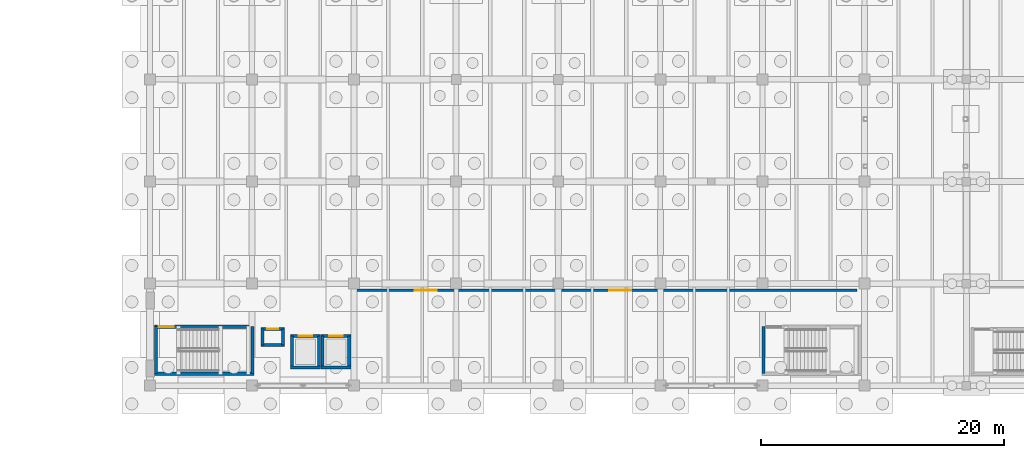
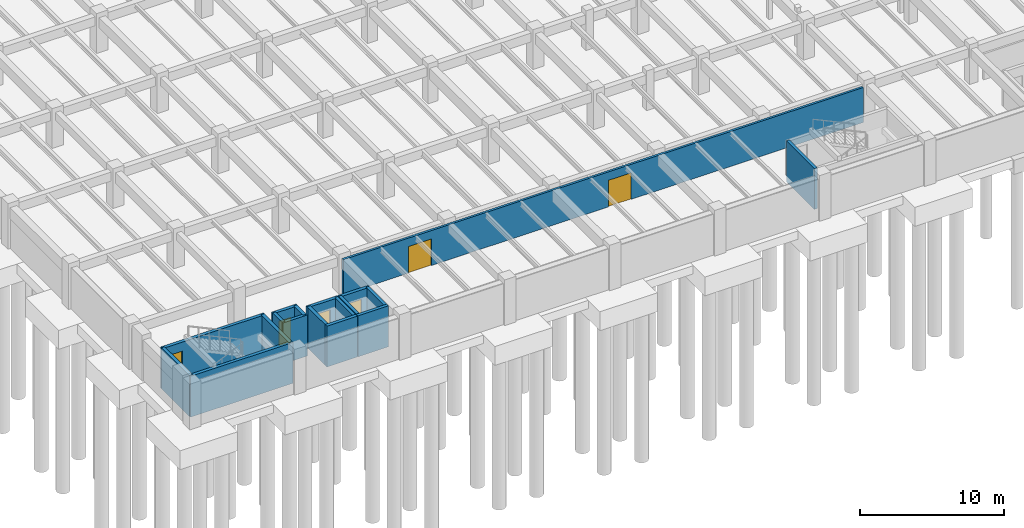
# One storey, part 41 of 70: 18 walls, 6 doors, 6 openings.
"""IFC4 building model written with IfcOpenShell, lengths in metres."""

from ifc_helpers import new_model, si_unit, direction, frame, frame_2d, origin, place, context, subcontext, project, spatial, rectangle, extrude, material, layer, layer_set, type_object, element, fill, save


model = new_model("IFC4")

# Units and contexts
model_context = context("Model", 3, precision=1e-05, world=origin(), true_north=direction((0.0, 1.0)))
body_context = subcontext(model_context, "Body", "Model", "MODEL_VIEW")
ifc_project = project(units=[si_unit("LENGTHUNIT", "METRE"), si_unit("AREAUNIT", "SQUARE_METRE"), si_unit("VOLUMEUNIT", "CUBIC_METRE"), si_unit("PLANEANGLEUNIT", "RADIAN"), si_unit("MASSUNIT", "GRAM", prefix="KILO")], contexts=[model_context])

# Site, building, storey
site_placement = place(None, origin())
site = spatial("IfcSite", under=ifc_project, at=site_placement, CompositionType="ELEMENT")
building_placement = place(site_placement, origin())
building = spatial("IfcBuilding", under=site, at=building_placement, Name="Cumbredor Promenade Congress Hotel", CompositionType="ELEMENT")
storey_placement = place(building_placement, frame((0.0, 0.0, -7.56005859375)))
storey = spatial("IfcBuildingStorey", under=building, at=storey_placement, Name="B02", CompositionType="ELEMENT", Elevation=-7.56005859375)

# Wall, openings, doors
ifc_material_1 = material(Name="Fire-rated hotel corridor wall")
ifc_layer_1 = layer(ifc_material_1, 0.179931640625, Name="Fire-rated hotel corridor wall")
ifc_layer_set_1 = layer_set([ifc_layer_1], Name="Fire-rated hotel corridor wall")
wall_type_1 = type_object("IfcWallType", Name="WL-CORR-180", PredefinedType="PARTITIONING", material=ifc_layer_set_1)
wall_1_placement = place(storey_placement, frame((25.0, 16.25, 0.0), z_axis=(0.0, 0.0, 1.0), x_axis=(1.0, 0.0, 0.0)))
wall_1 = element("IfcWall", 1, at=wall_1_placement, inside=storey, type_object=wall_type_1, Name="B02 Interior Partition W-B02-01", PredefinedType="PARTITIONING", context=body_context, shape_type="SweptSolid", body=[
    extrude(rectangle(XDim=41.60009765625, YDim=0.179931640625, at=frame_2d((20.800048828125, 0.0))), origin(), (0.0, 0.0, 1.0), 2.9599609375),
])
opening_1_placement = place(wall_1_placement, frame((5.199951171875, 0.0, 0.0)))
opening_1 = element("IfcOpeningElement", 2, at=opening_1_placement, cuts=wall_1, Name="Opening FD-10", PredefinedType="OPENING", context=body_context, shape_type="SweptSolid", body=[
    extrude(rectangle(XDim=1.820068359375, YDim=2.25, at=frame_2d((0.91015625, 1.125))), frame((0.0, 0.10009765625, 0.0), z_axis=(0.0, -1.0, 0.0), x_axis=(1.0, 0.0, 0.0)), (0.0, 0.0, 1.0), 0.199951171875),
])
opening_2_placement = place(wall_1_placement, frame((21.199951171875, 0.0, 0.0)))
opening_2 = element("IfcOpeningElement", 3, at=opening_2_placement, cuts=wall_1, Name="Opening FD-10", PredefinedType="OPENING", context=body_context, shape_type="SweptSolid", body=[
    extrude(rectangle(XDim=1.820068359375, YDim=2.25, at=frame_2d((0.91015625, 1.125))), frame((0.0, 0.10009765625, 0.0), z_axis=(0.0, -1.0, 0.0), x_axis=(1.0, 0.0, 0.0)), (0.0, 0.0, 1.0), 0.199951171875),
])
ifc_material_2 = material(Name="Solid-core fire-rated tropical hardwood", Category="wood")
door_type_1 = type_object("IfcDoorType", Name="DR-DBL-FD60-1800", OperationType="DOUBLE_DOOR_SINGLE_SWING", PredefinedType="DOOR", material=ifc_material_2)
door_1_placement = place(opening_1_placement, origin())
door_1 = element("IfcDoor", 4, at=door_1_placement, inside=storey, type_object=door_type_1, Name="B02 Interior Door W-B02-01-01", OperationType="DOUBLE_DOOR_SINGLE_SWING", OverallHeight=2.25, OverallWidth=1.820068359375, PredefinedType="DOOR", context=body_context, shape_type="SweptSolid", body=[
    extrude(rectangle(XDim=1.820068359375, YDim=2.25, at=frame_2d((0.91015625, 1.125))), frame((0.0, 0.02490234375, 0.0), z_axis=(0.0, -1.0, 0.0), x_axis=(1.0, 0.0, 0.0)), (0.0, 0.0, 1.0), 0.050048828125),
])
fill(opening_1, door_1)
door_2_placement = place(opening_2_placement, origin())
door_2 = element("IfcDoor", 5, at=door_2_placement, inside=storey, type_object=door_type_1, Name="B02 Interior Door W-B02-01-02", OperationType="DOUBLE_DOOR_SINGLE_SWING", OverallHeight=2.25, OverallWidth=1.820068359375, PredefinedType="DOOR", context=body_context, shape_type="SweptSolid", body=[
    extrude(rectangle(XDim=1.820068359375, YDim=2.25, at=frame_2d((0.91015625, 1.125))), frame((0.0, 0.02490234375, 0.0), z_axis=(0.0, -1.0, 0.0), x_axis=(1.0, 0.0, 0.0)), (0.0, 0.0, 1.0), 0.050048828125),
])
fill(opening_2, door_2)

# Wall
ifc_material_3 = material(Name="Concrete C40/50", Category="concrete")
ifc_layer_2 = layer(ifc_material_3, 0.2548828125, Name="Concrete C40/50", Category="concrete")
ifc_layer_set_2 = layer_set([ifc_layer_2], Name="Concrete C40/50")
wall_type_2 = type_object("IfcWallType", Name="WL-SHAFT-250", PredefinedType="SOLIDWALL", material=ifc_layer_set_2)
wall_2_placement = place(storey_placement, frame((8.75244140625, 9.3798828125, -0.5), z_axis=(0.0, 0.0, 1.0), x_axis=(1.0, 0.0, 0.0)))
element("IfcWall", 6, at=wall_2_placement, inside=storey, type_object=wall_type_2, Name="STAIR-ST-04-B02 Shaft Wall South", PredefinedType="SOLIDWALL", context=body_context, shape_type="SweptSolid", body=[
    extrude(rectangle(XDim=8.22509765625, YDim=0.2548828125, at=frame_2d((4.112548828125, 0.0))), origin(), (0.0, 0.0, 1.0), 3.4599609375),
])

# Wall, opening, door
wall_3_placement = place(storey_placement, frame((8.75244140625, 13.25, -0.5), z_axis=(0.0, 0.0, 1.0), x_axis=(1.0, 0.0, 0.0)))
wall_3 = element("IfcWall", 7, at=wall_3_placement, inside=storey, type_object=wall_type_2, Name="STAIR-ST-04-B02 Shaft Wall North", PredefinedType="SOLIDWALL", context=body_context, shape_type="SweptSolid", body=[
    extrude(rectangle(XDim=8.22509765625, YDim=0.2548828125, at=frame_2d((4.112548828125, 0.0))), origin(), (0.0, 0.0, 1.0), 3.4599609375),
])
opening_3_placement = place(wall_3_placement, frame((0.35009765625, 0.0, 0.5)))
opening_3 = element("IfcOpeningElement", 8, at=opening_3_placement, cuts=wall_3, Name="Opening SD-02", PredefinedType="OPENING", context=body_context, shape_type="SweptSolid", body=[
    extrude(rectangle(XDim=1.25, YDim=2.199951171875, at=frame_2d((0.625, 1.10009765625))), frame((0.0, 0.137451171875, 0.0), z_axis=(0.0, -1.0, 0.0), x_axis=(1.0, 0.0, 0.0)), (0.0, 0.0, 1.0), 0.27490234375),
])
ifc_material_4 = material(Name="Painted galvanized steel fire door", Category="steel")
door_type_2 = type_object("IfcDoorType", Name="DR-STAIR-FD90-1250", OperationType="NOTDEFINED", PredefinedType="DOOR", material=ifc_material_4)
door_3_placement = place(opening_3_placement, origin())
door_3 = element("IfcDoor", 9, at=door_3_placement, inside=storey, type_object=door_type_2, Name="B02 Protected Exit Stair ST-04 Door", OperationType="SINGLE_SWING_LEFT", OverallHeight=2.199951171875, OverallWidth=1.25, PredefinedType="DOOR", context=body_context, shape_type="SweptSolid", body=[
    extrude(rectangle(XDim=1.25, YDim=2.199951171875, at=frame_2d((0.625, 1.10009765625))), frame((0.0, 0.02490234375, 0.0), z_axis=(0.0, -1.0, 0.0), x_axis=(1.0, 0.0, 0.0)), (0.0, 0.0, 1.0), 0.050048828125),
])
fill(opening_3, door_3)

# Walls
for number, where, z_axis, x_axis, name in (
    (10, (8.8798828125, 9.3798828125, -0.5), (0.0, 0.0, 1.0), (0.0, 1.0, 0.0), "STAIR-ST-04-B02 Shaft Wall West"),
    (11, (16.85009765625, 9.3798828125, -0.5), (0.0, 0.0, 1.0), (0.0, 1.0, 0.0), "STAIR-ST-04-B02 Shaft Wall East"),
    (12, (58.8798828125, 9.3798828125, -0.5), (0.0, 0.0, 1.0), (0.0, 1.0, 0.0), "STAIR-ST-05-B02 Shaft Wall West"),
):
    element("IfcWall", number, at=place(storey_placement, frame(where, z_axis=z_axis, x_axis=x_axis)), inside=storey, type_object=wall_type_2, Name=name, PredefinedType="SOLIDWALL", context=body_context, shape_type="SweptSolid", body=[
        extrude(rectangle(XDim=3.8701171875, YDim=0.2548828125, at=frame_2d((1.93505859375, 0.0))), origin(), (0.0, 0.0, 1.0), 3.4599609375),
    ])
wall_4_placement = place(storey_placement, frame((19.972412109375, 9.89990234375, -0.5), z_axis=(0.0, 0.0, 1.0), x_axis=(1.0, 0.0, 0.0)))
element("IfcWall", 13, at=wall_4_placement, inside=storey, type_object=wall_type_2, Name="SHAFT-PL-05-B02 Shaft Wall South", PredefinedType="SOLIDWALL", context=body_context, shape_type="SweptSolid", body=[
    extrude(rectangle(XDim=2.455078125, YDim=0.2548828125, at=frame_2d((1.2275390625, 0.0))), origin(), (0.0, 0.0, 1.0), 3.4599609375),
])

# Wall, opening, door
wall_5_placement = place(storey_placement, frame((19.972412109375, 12.5, -0.5), z_axis=(0.0, 0.0, 1.0), x_axis=(1.0, 0.0, 0.0)))
wall_5 = element("IfcWall", 14, at=wall_5_placement, inside=storey, type_object=wall_type_2, Name="SHAFT-PL-05-B02 Shaft Wall North", PredefinedType="SOLIDWALL", context=body_context, shape_type="SweptSolid", body=[
    extrude(rectangle(XDim=2.455078125, YDim=0.2548828125, at=frame_2d((1.2275390625, 0.0))), origin(), (0.0, 0.0, 1.0), 3.4599609375),
])
opening_4_placement = place(wall_5_placement, frame((0.677490234375, 0.0, 0.5)))
opening_4 = element("IfcOpeningElement", 15, at=opening_4_placement, cuts=wall_5, Name="Opening LD-01", PredefinedType="OPENING", context=body_context, shape_type="SweptSolid", body=[
    extrude(rectangle(XDim=1.10009765625, YDim=2.14990234375, at=frame_2d((0.550048828125, 1.074951171875))), frame((0.0, 0.137451171875, 0.0), z_axis=(0.0, -1.0, 0.0), x_axis=(1.0, 0.0, 0.0)), (0.0, 0.0, 1.0), 0.27490234375),
])
ifc_material_5 = material(Name="Brushed stainless steel", Category="steel")
door_type_3 = type_object("IfcDoorType", Name="Lift Landing Sliding Door LD-01 1100x2150", OperationType="DOUBLE_DOOR_SLIDING", PredefinedType="DOOR", material=ifc_material_5)
door_4_placement = place(opening_4_placement, origin())
door_4 = element("IfcDoor", 16, at=door_4_placement, inside=storey, type_object=door_type_3, Name="B02 Plenary Passenger Lift PL-05 Sliding Landing Door", OperationType="DOUBLE_DOOR_SLIDING", OverallHeight=2.14990234375, OverallWidth=1.10009765625, PredefinedType="DOOR", context=body_context, shape_type="SweptSolid", body=[
    extrude(rectangle(XDim=1.10009765625, YDim=2.14990234375, at=frame_2d((0.550048828125, 1.074951171875))), frame((0.0, 0.02490234375, 0.0), z_axis=(0.0, -1.0, 0.0), x_axis=(1.0, 0.0, 0.0)), (0.0, 0.0, 1.0), 0.050048828125),
])
fill(opening_4, door_4)

# Walls
for number, where, z_axis, x_axis, name in (
    (17, (20.10009765625, 9.89990234375, -0.5), (0.0, 0.0, 1.0), (0.0, 1.0, 0.0), "SHAFT-PL-05-B02 Shaft Wall West"),
    (18, (22.300048828125, 9.89990234375, -0.5), (0.0, 0.0, 1.0), (0.0, 1.0, 0.0), "SHAFT-PL-05-B02 Shaft Wall East"),
):
    element("IfcWall", number, at=place(storey_placement, frame(where, z_axis=z_axis, x_axis=x_axis)), inside=storey, type_object=wall_type_2, Name=name, PredefinedType="SOLIDWALL", context=body_context, shape_type="SweptSolid", body=[
        extrude(rectangle(XDim=2.60009765625, YDim=0.2548828125, at=frame_2d((1.300048828125, 0.0))), origin(), (0.0, 0.0, 1.0), 3.4599609375),
    ])
wall_6_placement = place(storey_placement, frame((22.472412109375, 9.89990234375, -0.5), z_axis=(0.0, 0.0, 1.0), x_axis=(1.0, 0.0, 0.0)))
element("IfcWall", 19, at=wall_6_placement, inside=storey, type_object=wall_type_2, Name="SHAFT-PL-06-B02 Shaft Wall South", PredefinedType="SOLIDWALL", context=body_context, shape_type="SweptSolid", body=[
    extrude(rectangle(XDim=2.455078125, YDim=0.2548828125, at=frame_2d((1.2275390625, 0.0))), origin(), (0.0, 0.0, 1.0), 3.4599609375),
])

# Wall, opening, door
wall_7_placement = place(storey_placement, frame((22.472412109375, 12.5, -0.5), z_axis=(0.0, 0.0, 1.0), x_axis=(1.0, 0.0, 0.0)))
wall_7 = element("IfcWall", 20, at=wall_7_placement, inside=storey, type_object=wall_type_2, Name="SHAFT-PL-06-B02 Shaft Wall North", PredefinedType="SOLIDWALL", context=body_context, shape_type="SweptSolid", body=[
    extrude(rectangle(XDim=2.455078125, YDim=0.2548828125, at=frame_2d((1.2275390625, 0.0))), origin(), (0.0, 0.0, 1.0), 3.4599609375),
])
opening_5_placement = place(wall_7_placement, frame((0.677490234375, 0.0, 0.5)))
opening_5 = element("IfcOpeningElement", 21, at=opening_5_placement, cuts=wall_7, Name="Opening LD-01", PredefinedType="OPENING", context=body_context, shape_type="SweptSolid", body=[
    extrude(rectangle(XDim=1.10009765625, YDim=2.14990234375, at=frame_2d((0.550048828125, 1.074951171875))), frame((0.0, 0.137451171875, 0.0), z_axis=(0.0, -1.0, 0.0), x_axis=(1.0, 0.0, 0.0)), (0.0, 0.0, 1.0), 0.27490234375),
])
door_5_placement = place(opening_5_placement, origin())
door_5 = element("IfcDoor", 22, at=door_5_placement, inside=storey, type_object=door_type_3, Name="B02 Plenary Passenger Lift PL-06 Sliding Landing Door", OperationType="DOUBLE_DOOR_SLIDING", OverallHeight=2.14990234375, OverallWidth=1.10009765625, PredefinedType="DOOR", context=body_context, shape_type="SweptSolid", body=[
    extrude(rectangle(XDim=1.10009765625, YDim=2.14990234375, at=frame_2d((0.550048828125, 1.074951171875))), frame((0.0, 0.02490234375, 0.0), z_axis=(0.0, -1.0, 0.0), x_axis=(1.0, 0.0, 0.0)), (0.0, 0.0, 1.0), 0.050048828125),
])
fill(opening_5, door_5)

# Walls
for number, where, z_axis, x_axis, name in (
    (23, (22.60009765625, 9.89990234375, -0.5), (0.0, 0.0, 1.0), (0.0, 1.0, 0.0), "SHAFT-PL-06-B02 Shaft Wall West"),
    (24, (24.800048828125, 9.89990234375, -0.5), (0.0, 0.0, 1.0), (0.0, 1.0, 0.0), "SHAFT-PL-06-B02 Shaft Wall East"),
):
    element("IfcWall", number, at=place(storey_placement, frame(where, z_axis=z_axis, x_axis=x_axis)), inside=storey, type_object=wall_type_2, Name=name, PredefinedType="SOLIDWALL", context=body_context, shape_type="SweptSolid", body=[
        extrude(rectangle(XDim=2.60009765625, YDim=0.2548828125, at=frame_2d((1.300048828125, 0.0))), origin(), (0.0, 0.0, 1.0), 3.4599609375),
    ])
wall_8_placement = place(storey_placement, frame((17.5224609375, 11.75, -0.5), z_axis=(0.0, 0.0, 1.0), x_axis=(1.0, 0.0, 0.0)))
element("IfcWall", 25, at=wall_8_placement, inside=storey, type_object=wall_type_2, Name="RISER-MEP-R2-B02 Shaft Wall South", PredefinedType="SOLIDWALL", context=body_context, shape_type="SweptSolid", body=[
    extrude(rectangle(XDim=1.955078125, YDim=0.2548828125, at=frame_2d((0.9775390625, 0.0))), origin(), (0.0, 0.0, 1.0), 3.4599609375),
])

# Wall, opening, door
wall_9_placement = place(storey_placement, frame((17.5224609375, 13.050048828125, -0.5), z_axis=(0.0, 0.0, 1.0), x_axis=(1.0, 0.0, 0.0)))
wall_9 = element("IfcWall", 26, at=wall_9_placement, inside=storey, type_object=wall_type_2, Name="RISER-MEP-R2-B02 Shaft Wall North", PredefinedType="SOLIDWALL", context=body_context, shape_type="SweptSolid", body=[
    extrude(rectangle(XDim=1.955078125, YDim=0.2548828125, at=frame_2d((0.9775390625, 0.0))), origin(), (0.0, 0.0, 1.0), 3.4599609375),
])
opening_6_placement = place(wall_9_placement, frame((0.507568359375, 0.0, 0.5)))
opening_6 = element("IfcOpeningElement", 27, at=opening_6_placement, cuts=wall_9, Name="Opening FD-03", PredefinedType="OPENING", context=body_context, shape_type="SweptSolid", body=[
    extrude(rectangle(XDim=0.93994140625, YDim=2.10009765625, at=frame_2d((0.469970703125, 1.050048828125))), frame((0.0, 0.137451171875, 0.0), z_axis=(0.0, -1.0, 0.0), x_axis=(1.0, 0.0, 0.0)), (0.0, 0.0, 1.0), 0.27490234375),
])
door_type_4 = type_object("IfcDoorType", Name="DR-SGL-FD60-950", OperationType="NOTDEFINED", PredefinedType="DOOR", material=ifc_material_4)
door_6_placement = place(opening_6_placement, origin())
door_6 = element("IfcDoor", 28, at=door_6_placement, inside=storey, type_object=door_type_4, Name="B02 Plenary MEP Riser Shaft R2 Access Door", OperationType="SINGLE_SWING_LEFT", OverallHeight=2.10009765625, OverallWidth=0.93994140625, PredefinedType="DOOR", context=body_context, shape_type="SweptSolid", body=[
    extrude(rectangle(XDim=0.93994140625, YDim=2.10009765625, at=frame_2d((0.469970703125, 1.050048828125))), frame((0.0, 0.02490234375, 0.0), z_axis=(0.0, -1.0, 0.0), x_axis=(1.0, 0.0, 0.0)), (0.0, 0.0, 1.0), 0.050048828125),
])
fill(opening_6, door_6)

# Walls
for number, where, z_axis, x_axis, name in (
    (29, (17.64990234375, 11.75, -0.5), (0.0, 0.0, 1.0), (0.0, 1.0, 0.0), "RISER-MEP-R2-B02 Shaft Wall West"),
    (30, (19.35009765625, 11.75, -0.5), (0.0, 0.0, 1.0), (0.0, 1.0, 0.0), "RISER-MEP-R2-B02 Shaft Wall East"),
):
    element("IfcWall", number, at=place(storey_placement, frame(where, z_axis=z_axis, x_axis=x_axis)), inside=storey, type_object=wall_type_2, Name=name, PredefinedType="SOLIDWALL", context=body_context, shape_type="SweptSolid", body=[
        extrude(rectangle(XDim=1.300048828125, YDim=0.2548828125, at=frame_2d((0.64990234375, 0.0))), origin(), (0.0, 0.0, 1.0), 3.4599609375),
    ])

save(model, "model.ifc")
